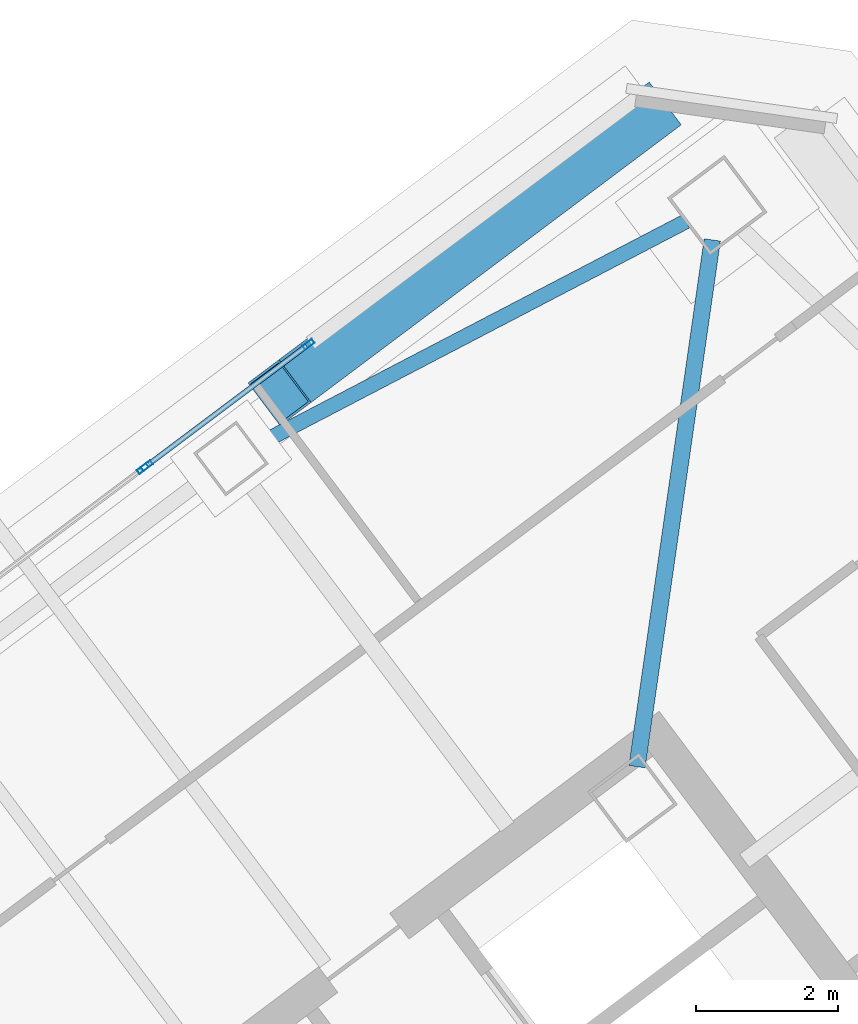
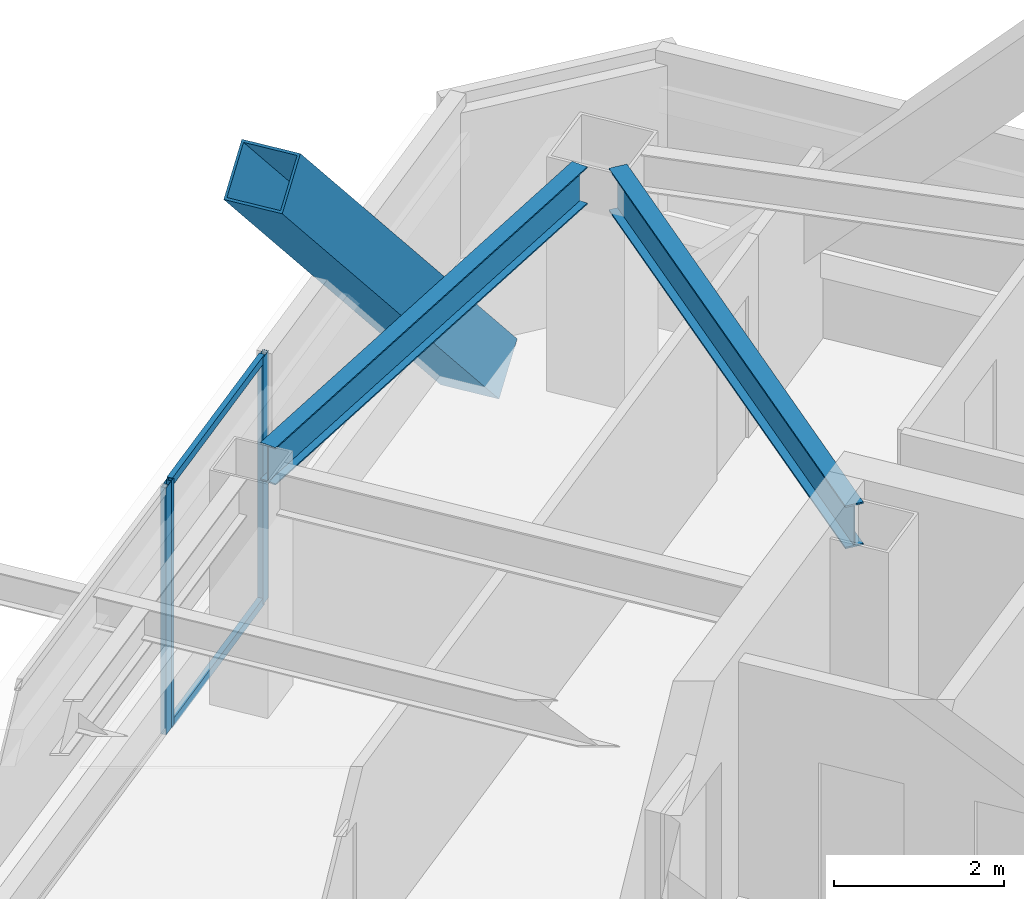
# One storey, part 27 of 39: 6 members, 2 beams, 2 elements without a shape of their own.
"""IFC4 building model written with IfcOpenShell, lengths in metres."""

from ifc_helpers import new_model, si_unit, direction, frame, origin, origin_2d, place, context, subcontext, project, spatial, hollow_rectangle, i_section, extrude, material, material_profile, profile_set, type_object, element, aggregate, save


model = new_model("IFC4")

# Units and contexts
model_context = context("Model", 3, precision=1e-05, world=origin(), true_north=direction((0.0, 1.0)))
body_context = subcontext(model_context, "Body", "Model", "MODEL_VIEW")
ifc_project = project(units=[si_unit("LENGTHUNIT", "METRE"), si_unit("AREAUNIT", "SQUARE_METRE"), si_unit("VOLUMEUNIT", "CUBIC_METRE"), si_unit("PLANEANGLEUNIT", "RADIAN"), si_unit("MASSUNIT", "GRAM", prefix="KILO")], contexts=[model_context])

# Site, building, storey
site_placement = place(None, origin())
site = spatial("IfcSite", under=ifc_project, at=site_placement, CompositionType="ELEMENT")
building_placement = place(site_placement, origin())
building = spatial("IfcBuilding", under=site, at=building_placement, Name="Tashvorn Skyway Center", CompositionType="ELEMENT")
storey_placement = place(building_placement, frame((0.0, 0.0, 232.60009765625)))
storey = spatial("IfcBuildingStorey", under=building, at=storey_placement, Name="L63", CompositionType="ELEMENT", Elevation=232.60009765625)

# Beams
ifc_material_1 = material(Name="Steel ASTM A992 Grade 50", Category="steel")
ifc_material_profile_1 = material_profile(ifc_material_1, i_section(OverallWidth=0.22998046875, OverallDepth=0.616943359375, WebThickness=0.01318359375, FlangeThickness=0.022216796875, at=origin_2d()), Name="W24X94")
ifc_profile_set_1 = profile_set([ifc_material_profile_1], Name="Steel ASTM A992 Grade 50")
beam_type_1 = type_object("IfcBeamType", Name="BM-BEAM-W24X94", PredefinedType="BEAM", material=ifc_profile_set_1)
beam_1_placement = place(storey_placement, frame((116.530029296875, 49.7099609375, 3.0615234375), z_axis=(-0.141430501853, -0.989948187102, 0.0), x_axis=(0.989948187102, -0.141430501853, 0.0)))
element("IfcBeam", 1, at=beam_1_placement, inside=storey, type_object=beam_type_1, Name="Tower 2 L63 Primary Floor Girder MC-NE", PredefinedType="BEAM", context=body_context, shape_type="SweptSolid", body=[
    extrude(i_section(OverallWidth=0.22998046875, OverallDepth=0.616943359375, WebThickness=0.01318359375, FlangeThickness=0.022216796875, at=origin_2d()), origin(), (0.0, 0.0, 1.0), 7.474609375),
])
ifc_material_profile_2 = material_profile(ifc_material_1, i_section(OverallWidth=0.2109375, OverallDepth=0.5390625, WebThickness=0.01171875, FlangeThickness=0.018798828125, at=origin_2d()), Name="W21X73")
ifc_profile_set_2 = profile_set([ifc_material_profile_2], Name="Steel ASTM A992 Grade 50")
beam_type_2 = type_object("IfcBeamType", Name="BM-SPANDREL-W21X73", PredefinedType="SPANDREL", material=ifc_profile_set_2)
beam_2_placement = place(storey_placement, frame((116.1611328125, 49.97119140625, 3.100341796875), z_axis=(-0.886773234579, -0.462204749472, 0.0), x_axis=(0.462204749472, -0.886773234579, 0.0)))
element("IfcBeam", 2, at=beam_2_placement, inside=storey, type_object=beam_type_2, Name="Tower 2 L63 Spandrel Beam 07", PredefinedType="SPANDREL", context=body_context, shape_type="SweptSolid", body=[
    extrude(i_section(OverallWidth=0.2109375, OverallDepth=0.5390625, WebThickness=0.01171875, FlangeThickness=0.018798828125, at=origin_2d()), origin(), (0.0, 0.0, 1.0), 6.837158203125),
])

# Curtain wall, member
ifc_material_2 = material(Name="Thermally broken bronze-anodized aluminium 6063-T6", Category="aluminium")
curtain_wall_type = type_object("IfcCurtainWallType", Name="CW-CW-Z5", PredefinedType="NOTDEFINED", material=ifc_material_2)
curtain_wall_1_placement = place(storey_placement, origin())
curtain_wall_1 = element("IfcCurtainWall", 3, at=curtain_wall_1_placement, inside=storey, type_object=curtain_wall_type, Name="Tower 2 L63 North Unitised Curtain Wall Glazing Group 2", PredefinedType="NOTDEFINED")
ifc_material_profile_3 = material_profile(ifc_material_2, hollow_rectangle(XDim=0.070068359375, YDim=0.1650390625, WallThickness=0.00390625, at=origin_2d()), Name="ALU-MULL-70x165")
ifc_profile_set_3 = profile_set([ifc_material_profile_3], Name="Thermally broken bronze-anodized aluminium 6063-T6")
member_type_1 = type_object("IfcMemberType", Name="CWM-CW-Z5", PredefinedType="MULLION", material=ifc_profile_set_3)
member_1_placement = place(storey_placement, frame((108.531982421875, 46.4990234375, 0.0), z_axis=(0.0, 0.0, 1.0), x_axis=(-0.600000000002, 0.799999999998, 0.0)))
member_1 = element("IfcMember", 4, at=member_1_placement, type_object=member_type_1, Name="CW-Z5 mullion 2", PredefinedType="MULLION", context=body_context, shape_type="SweptSolid", body=[
    extrude(hollow_rectangle(XDim=0.070068359375, YDim=0.1650390625, WallThickness=0.00390625, at=origin_2d()), origin(), (0.0, 0.0, 1.0), 3.5498046875),
])
aggregate(curtain_wall_1, [member_1])

# Curtain wall, members
curtain_wall_2_placement = place(storey_placement, origin())
curtain_wall_2 = element("IfcCurtainWall", 5, at=curtain_wall_2_placement, inside=storey, type_object=curtain_wall_type, Name="Tower 2 L63 North Unitised Curtain Wall Glazing Group 3", PredefinedType="NOTDEFINED")
member_2_placement = place(storey_placement, frame((108.587890625, 46.541015625, 0.0), z_axis=(0.0, 0.0, 1.0), x_axis=(-0.600005504617, 0.799995871508, 0.0)))
member_2 = element("IfcMember", 6, at=member_2_placement, type_object=member_type_1, Name="CW-Z5 mullion 1", PredefinedType="MULLION", context=body_context, shape_type="SweptSolid", body=[
    extrude(hollow_rectangle(XDim=0.070068359375, YDim=0.1650390625, WallThickness=0.00390625, at=origin_2d()), origin(), (0.0, 0.0, 1.0), 3.5498046875),
])
member_3_placement = place(storey_placement, frame((110.857421875, 48.242919921875, 0.0), z_axis=(0.0, 0.0, 1.0), x_axis=(-0.600005504617, 0.799995871508, 0.0)))
member_3 = element("IfcMember", 7, at=member_3_placement, type_object=member_type_1, Name="CW-Z5 mullion 2", PredefinedType="MULLION", context=body_context, shape_type="SweptSolid", body=[
    extrude(hollow_rectangle(XDim=0.070068359375, YDim=0.1650390625, WallThickness=0.00390625, at=origin_2d()), origin(), (0.0, 0.0, 1.0), 3.5498046875),
])
ifc_material_profile_4 = material_profile(ifc_material_2, hollow_rectangle(XDim=0.070068359375, YDim=0.114990234375, WallThickness=0.00390625, at=origin_2d()), Name="ALU-TRAN-70x115")
ifc_profile_set_4 = profile_set([ifc_material_profile_4], Name="Thermally broken bronze-anodized aluminium 6063-T6")
member_type_2 = type_object("IfcMemberType", Name="CWT-CW-Z5", PredefinedType="USERDEFINED", material=ifc_profile_set_4)
member_4_placement = place(storey_placement, frame((108.615966796875, 46.56201171875, 0.034912109375), z_axis=(0.80002117809, 0.599971761508, 0.0), x_axis=(-0.599971761508, 0.80002117809, 0.0)))
member_4 = element("IfcMember", 8, at=member_4_placement, type_object=member_type_2, Name="CW-Z5 transom 1.1", ObjectType="TRANSOM", PredefinedType="USERDEFINED", context=body_context, shape_type="SweptSolid", body=[
    extrude(hollow_rectangle(XDim=0.070068359375, YDim=0.114990234375, WallThickness=0.00390625, at=origin_2d()), origin(), (0.0, 0.0, 1.0), 2.7666015625),
])
member_5_placement = place(storey_placement, frame((108.615966796875, 46.56201171875, 3.514892578125), z_axis=(0.80002117809, 0.599971761508, 0.0), x_axis=(-0.599971761508, 0.80002117809, 0.0)))
member_5 = element("IfcMember", 9, at=member_5_placement, type_object=member_type_2, Name="CW-Z5 transom 1.2", ObjectType="TRANSOM", PredefinedType="USERDEFINED", context=body_context, shape_type="SweptSolid", body=[
    extrude(hollow_rectangle(XDim=0.070068359375, YDim=0.114990234375, WallThickness=0.00390625, at=origin_2d()), origin(), (0.0, 0.0, 1.0), 2.7666015625),
])
aggregate(curtain_wall_2, [member_2, member_3, member_4, member_5])

# Member
ifc_material_3 = material(Name="Steel ASTM A572 Grade 50", Category="steel")
ifc_material_profile_5 = material_profile(ifc_material_3, hollow_rectangle(XDim=0.75, YDim=0.75, WallThickness=0.031982421875, at=origin_2d()), Name="BOX750x750x32")
ifc_profile_set_5 = profile_set([ifc_material_profile_5], Name="Steel ASTM A572 Grade 50")
member_type_3 = type_object("IfcMemberType", Name="MEM-MB-750", PredefinedType="BRACE", material=ifc_profile_set_5)
member_6_placement = place(storey_placement, frame((115.652099609375, 51.464111328125, -0.2001953125), z_axis=(-0.550672257643, -0.413004193232, 0.725387896946), x_axis=(0.6, -0.8, 0.0)))
element("IfcMember", 10, at=member_6_placement, inside=storey, type_object=member_type_3, Name="Tower 2 Zone 6 N Chevron Mega-Brace L1", PredefinedType="BRACE", context=body_context, shape_type="SweptSolid", body=[
    extrude(hollow_rectangle(XDim=0.75, YDim=0.75, WallThickness=0.031982421875, at=origin_2d()), origin(), (0.0, 0.0, 1.0), 9.443359375),
])

save(model, "model.ifc")
